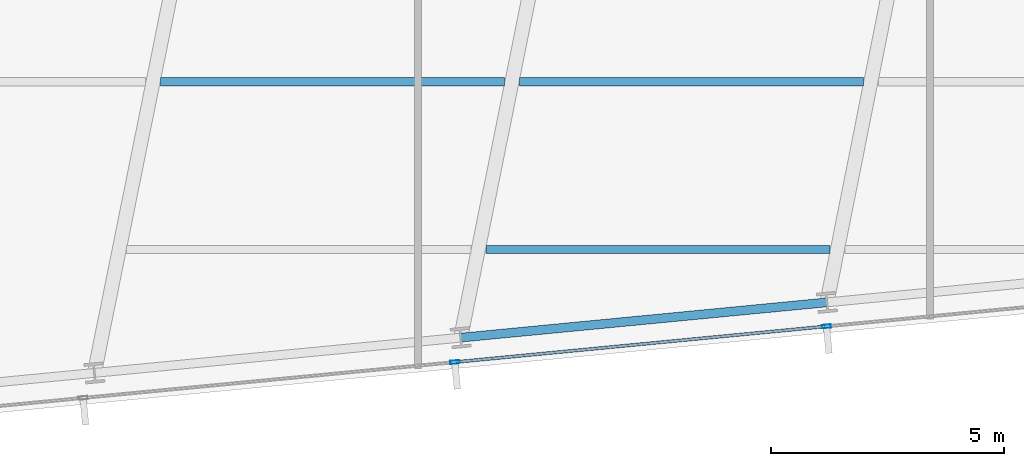
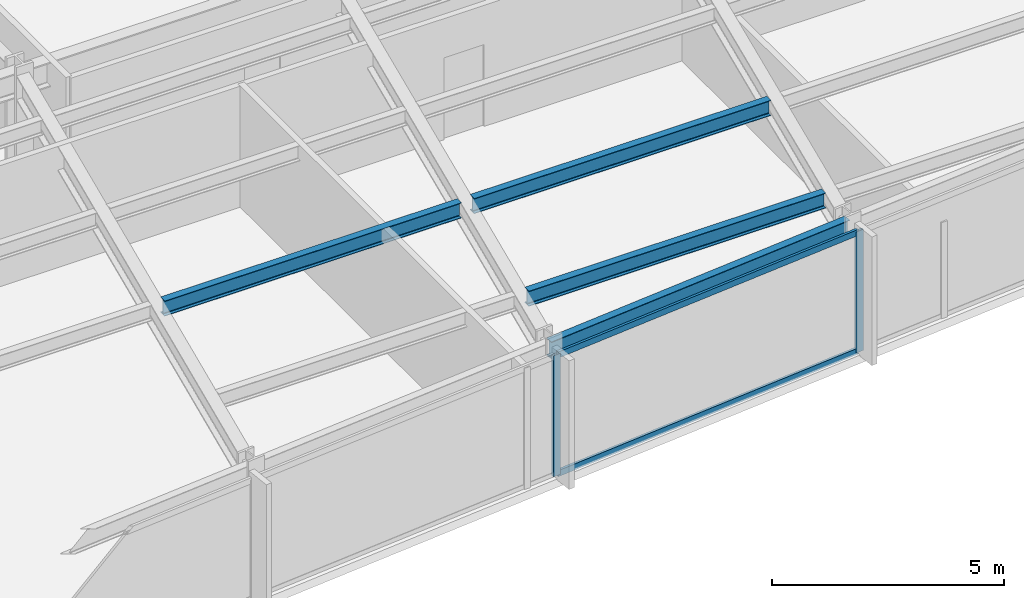
# One storey, part 4 of 32: 4 beams, 4 members, 1 element without a shape of its own.
"""IFC4 building model written with IfcOpenShell, lengths in metres."""

from ifc_helpers import new_model, si_unit, direction, frame, origin, origin_2d, place, context, subcontext, project, spatial, hollow_rectangle, i_section, extrude, material, material_profile, profile_set, type_object, element, aggregate, save


model = new_model("IFC4")

# Units and contexts
model_context = context("Model", 3, precision=1e-05, world=origin(), true_north=direction((0.0, 1.0)))
body_context = subcontext(model_context, "Body", "Model", "MODEL_VIEW")
ifc_project = project(units=[si_unit("LENGTHUNIT", "METRE"), si_unit("AREAUNIT", "SQUARE_METRE"), si_unit("VOLUMEUNIT", "CUBIC_METRE"), si_unit("PLANEANGLEUNIT", "RADIAN"), si_unit("MASSUNIT", "GRAM", prefix="KILO")], contexts=[model_context])

# Site, building, storey
site_placement = place(None, origin())
site = spatial("IfcSite", under=ifc_project, at=site_placement, CompositionType="ELEMENT")
building_placement = place(site_placement, origin())
building = spatial("IfcBuilding", under=site, at=building_placement, Name="Yelkora Congress Tower", CompositionType="ELEMENT")
storey_placement = place(building_placement, frame((0.0, 0.0, 96.5)))
storey = spatial("IfcBuildingStorey", under=building, at=storey_placement, Name="L25", CompositionType="ELEMENT", Elevation=96.5)

# Beams
ifc_material_1 = material(Name="Steel S355J2", Category="steel")
ifc_material_profile_1 = material_profile(ifc_material_1, i_section(OverallWidth=0.179931640625, OverallDepth=0.39990234375, WebThickness=0.008544921875, FlangeThickness=0.013427734375, FilletRadius=0.02099609375, at=origin_2d()), Name="IPE 400")
ifc_profile_set_1 = profile_set([ifc_material_profile_1], Name="Steel S355J2")
beam_type_1 = type_object("IfcBeamType", Name="BM-JOIST-IPE400", PredefinedType="JOIST", material=ifc_profile_set_1)
beam_1_placement = place(storey_placement, frame((36.023193359375, 12.54443359375, 2.97998046875), z_axis=(1.0, 0.0, 0.0), x_axis=(0.0, 1.0, 0.0)))
element("IfcBeam", 1, at=beam_1_placement, inside=storey, type_object=beam_type_1, Name="L25 Composite Floor Joist 2", PredefinedType="JOIST", context=body_context, shape_type="SweptSolid", body=[
    extrude(i_section(OverallWidth=0.179931640625, OverallDepth=0.39990234375, WebThickness=0.008544921875, FlangeThickness=0.013427734375, FilletRadius=0.02099609375, at=origin_2d()), origin(), (0.0, 0.0, 1.0), 7.37646484375),
])
beam_2_placement = place(storey_placement, frame((29.05419921875, 16.144287109375, 2.97998046875), z_axis=(1.0, 0.0, 0.0), x_axis=(0.0, 1.0, 0.0)))
element("IfcBeam", 2, at=beam_2_placement, inside=storey, type_object=beam_type_1, Name="L25 Composite Floor Joist 5", PredefinedType="JOIST", context=body_context, shape_type="SweptSolid", body=[
    extrude(i_section(OverallWidth=0.179931640625, OverallDepth=0.39990234375, WebThickness=0.008544921875, FlangeThickness=0.013427734375, FilletRadius=0.02099609375, at=origin_2d()), origin(), (0.0, 0.0, 1.0), 7.37060546875),
])
beam_3_placement = place(storey_placement, frame((36.744873046875, 16.144287109375, 2.97998046875), z_axis=(1.0, 0.0, 0.0), x_axis=(0.0, 1.0, 0.0)))
element("IfcBeam", 3, at=beam_3_placement, inside=storey, type_object=beam_type_1, Name="L25 Composite Floor Joist 6", PredefinedType="JOIST", context=body_context, shape_type="SweptSolid", body=[
    extrude(i_section(OverallWidth=0.179931640625, OverallDepth=0.39990234375, WebThickness=0.008544921875, FlangeThickness=0.013427734375, FilletRadius=0.02099609375, at=origin_2d()), origin(), (0.0, 0.0, 1.0), 7.371826171875),
])
ifc_material_profile_2 = material_profile(ifc_material_1, i_section(OverallWidth=0.18994140625, OverallDepth=0.449951171875, WebThickness=0.009521484375, FlangeThickness=0.0146484375, FilletRadius=0.02099609375, at=origin_2d()), Name="IPE 450")
ifc_profile_set_2 = profile_set([ifc_material_profile_2], Name="Steel S355J2")
beam_type_2 = type_object("IfcBeamType", Name="BM-SPAN-IPE450", PredefinedType="SPANDREL", material=ifc_profile_set_2)
beam_4_placement = place(storey_placement, frame((35.48486328125, 10.656005859375, 2.955078125), z_axis=(0.995395575667, 0.095852219286, 0.0), x_axis=(-0.095852219286, 0.995395575667, 0.0)))
element("IfcBeam", 4, at=beam_4_placement, inside=storey, type_object=beam_type_2, Name="L25 Perimeter Beam 5", PredefinedType="SPANDREL", context=body_context, shape_type="SweptSolid", body=[
    extrude(i_section(OverallWidth=0.18994140625, OverallDepth=0.449951171875, WebThickness=0.009521484375, FlangeThickness=0.0146484375, FilletRadius=0.02099609375, at=origin_2d()), origin(), (0.0, 0.0, 1.0), 7.8857421875),
])

# Curtain wall, members
ifc_material_2 = material(Name="Anodised aluminium and insulated glass", Category="aluminium")
curtain_wall_type = type_object("IfcCurtainWallType", Name="CW-SYS-B2", PredefinedType="NOTDEFINED", material=ifc_material_2)
curtain_wall_placement = place(storey_placement, origin())
curtain_wall = element("IfcCurtainWall", 5, at=curtain_wall_placement, inside=storey, type_object=curtain_wall_type, Name="L25 Unitised Curtain Wall 20", PredefinedType="NOTDEFINED")
ifc_material_3 = material(Name="Anodised aluminium 6063-T6", Category="aluminium")
ifc_material_profile_3 = material_profile(ifc_material_3, hollow_rectangle(XDim=0.070068359375, YDim=0.18994140625, WallThickness=0.00390625, at=origin_2d()), Name="ALU 70x190x4")
ifc_profile_set_3 = profile_set([ifc_material_profile_3], Name="Anodised aluminium 6063-T6")
member_type_1 = type_object("IfcMemberType", Name="MEM-ML-B2", PredefinedType="MULLION", material=ifc_profile_set_3)
member_1_placement = place(storey_placement, frame((43.32470703125, 10.898681640625, 0.0), z_axis=(0.0, 0.0, 1.0), x_axis=(0.095844345816, -0.995396333816, 0.0)))
member_1 = element("IfcMember", 6, at=member_1_placement, type_object=member_type_1, Name="CW-B2 mullion 5", PredefinedType="MULLION", context=body_context, shape_type="SweptSolid", body=[
    extrude(hollow_rectangle(XDim=0.070068359375, YDim=0.18994140625, WallThickness=0.00390625, at=origin_2d()), origin(), (0.0, 0.0, 1.0), 3.179931640625),
])
member_2_placement = place(storey_placement, frame((35.358642578125, 10.131591796875, 0.0), z_axis=(0.0, 0.0, 1.0), x_axis=(0.095844345816, -0.995396333816, 0.0)))
member_2 = element("IfcMember", 7, at=member_2_placement, type_object=member_type_1, Name="CW-B2 mullion 6", PredefinedType="MULLION", context=body_context, shape_type="SweptSolid", body=[
    extrude(hollow_rectangle(XDim=0.070068359375, YDim=0.18994140625, WallThickness=0.00390625, at=origin_2d()), origin(), (0.0, 0.0, 1.0), 3.179931640625),
])
ifc_material_profile_4 = material_profile(ifc_material_3, hollow_rectangle(XDim=0.06494140625, YDim=0.159912109375, WallThickness=0.00390625, at=origin_2d()), Name="ALU 65x160x4")
ifc_profile_set_4 = profile_set([ifc_material_profile_4], Name="Anodised aluminium 6063-T6")
member_type_2 = type_object("IfcMemberType", Name="MEM-TR-B2", PredefinedType="USERDEFINED", material=ifc_profile_set_4)
member_3_placement = place(storey_placement, frame((43.289794921875, 10.895263671875, 0.032470703125), z_axis=(-0.995397010735, -0.095837315383, 0.0), x_axis=(0.095837315383, -0.995397010735, 0.0)))
member_3 = element("IfcMember", 8, at=member_3_placement, type_object=member_type_2, Name="CW-B2 transom 5.1", ObjectType="TRANSOM", PredefinedType="USERDEFINED", context=body_context, shape_type="SweptSolid", body=[
    extrude(hollow_rectangle(XDim=0.06494140625, YDim=0.159912109375, WallThickness=0.00390625, at=origin_2d()), origin(), (0.0, 0.0, 1.0), 7.932861328125),
])
member_4_placement = place(storey_placement, frame((43.289794921875, 10.895263671875, 3.1474609375), z_axis=(-0.995397010735, -0.095837315383, 0.0), x_axis=(0.095837315383, -0.995397010735, 0.0)))
member_4 = element("IfcMember", 9, at=member_4_placement, type_object=member_type_2, Name="CW-B2 transom 5.2", ObjectType="TRANSOM", PredefinedType="USERDEFINED", context=body_context, shape_type="SweptSolid", body=[
    extrude(hollow_rectangle(XDim=0.06494140625, YDim=0.159912109375, WallThickness=0.00390625, at=origin_2d()), origin(), (0.0, 0.0, 1.0), 7.932861328125),
])
aggregate(curtain_wall, [member_1, member_2, member_3, member_4])

save(model, "model.ifc")
